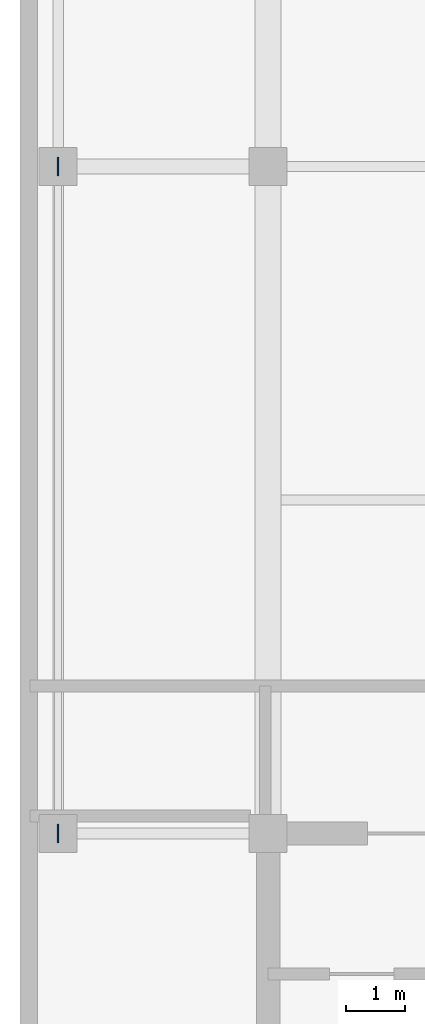
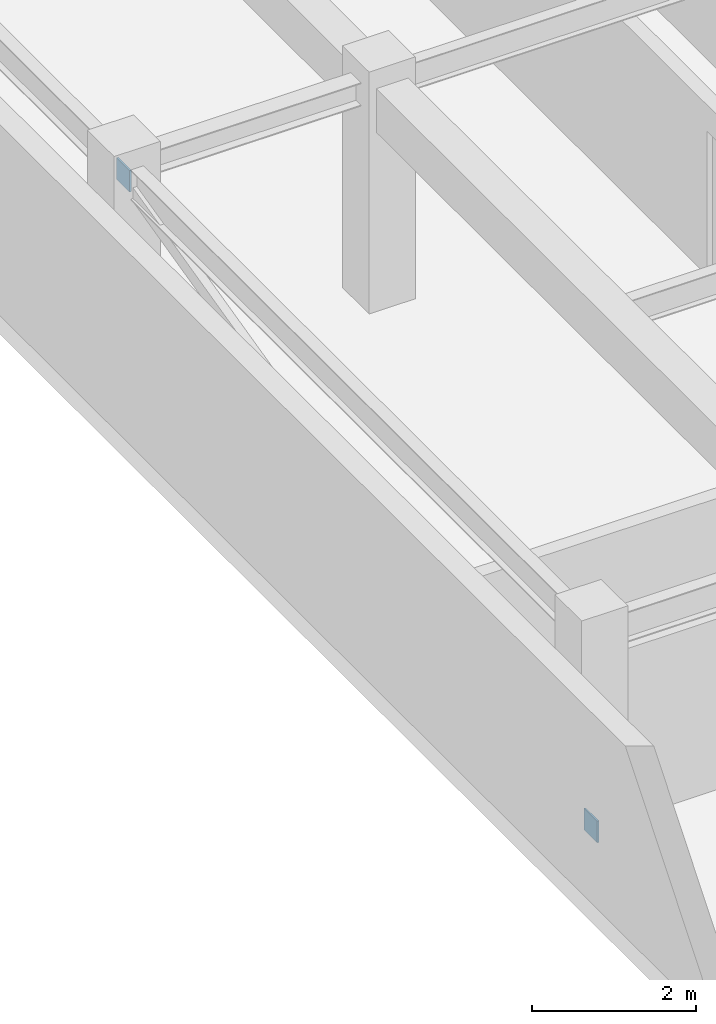
# One storey, part 7 of 9: 2 discrete accessories.
"""IFC4 building model written with IfcOpenShell, lengths in metres."""

from ifc_helpers import new_model, si_unit, direction, frame, origin, origin_2d, place, context, subcontext, project, spatial, rectangle, extrude, material, layer, layer_set, type_object, element, save


model = new_model("IFC4")

# Units and contexts
model_context = context("Model", 3, precision=1e-05, world=origin(), true_north=direction((0.0, 1.0)))
body_context = subcontext(model_context, "Body", "Model", "MODEL_VIEW")
ifc_project = project(units=[si_unit("LENGTHUNIT", "METRE"), si_unit("AREAUNIT", "SQUARE_METRE"), si_unit("VOLUMEUNIT", "CUBIC_METRE"), si_unit("PLANEANGLEUNIT", "RADIAN"), si_unit("MASSUNIT", "GRAM", prefix="KILO")], contexts=[model_context])

# Site, building, storey
site_placement = place(None, origin())
site = spatial("IfcSite", under=ifc_project, at=site_placement, CompositionType="ELEMENT")
building_placement = place(site_placement, origin())
building = spatial("IfcBuilding", under=site, at=building_placement, Name="Svetorya Sky Lyceum", CompositionType="ELEMENT")
storey_placement = place(building_placement, frame((0.0, 0.0, 309.199951171875)))
storey = spatial("IfcBuildingStorey", under=building, at=storey_placement, Name="C03", CompositionType="ELEMENT", Elevation=309.199951171875)

# Discrete accessories
ifc_material = material(Name="Steel S355", Category="steel")
ifc_layer = layer(ifc_material, 0.02392578125)
ifc_layer_set = layer_set([ifc_layer], Name="Steel S355")
discrete_accessory_type = type_object("IfcDiscreteAccessoryType", Name="ACC-GUSSET-24", PredefinedType="BRACKET", material=ifc_layer_set)
for number, where, z_axis, x_axis, name in (
    (1, (22.010009765625, 16.800048828125, 0.08984375), (0.0, 0.0, 1.0), (1.0, 0.0, 0.0), "C03 Brace Node Gusset Plate 201"),
    (2, (22.010009765625, 28.199951171875, 2.85986328125), (0.0, 0.0, 1.0), (1.0, 0.0, 0.0), "C03 Brace Node Gusset Plate 202"),
):
    element("IfcDiscreteAccessory", number, at=place(storey_placement, frame(where, z_axis=z_axis, x_axis=x_axis)), inside=storey, type_object=discrete_accessory_type, Name=name, PredefinedType="BRACKET", context=body_context, shape_type="SweptSolid", body=[
        extrude(rectangle(XDim=0.02392578125, YDim=0.320068359375, at=origin_2d()), origin(), (0.0, 0.0, 1.0), 0.320068359375),
    ])

save(model, "model.ifc")
